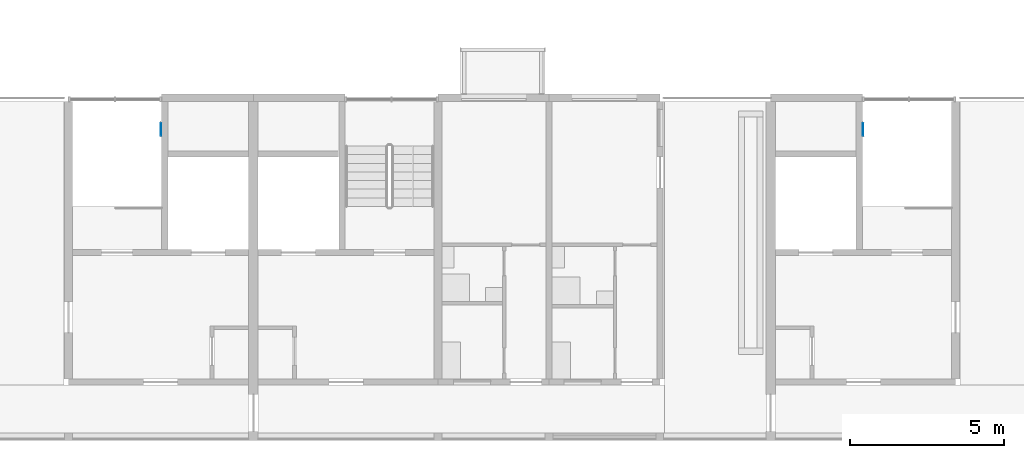
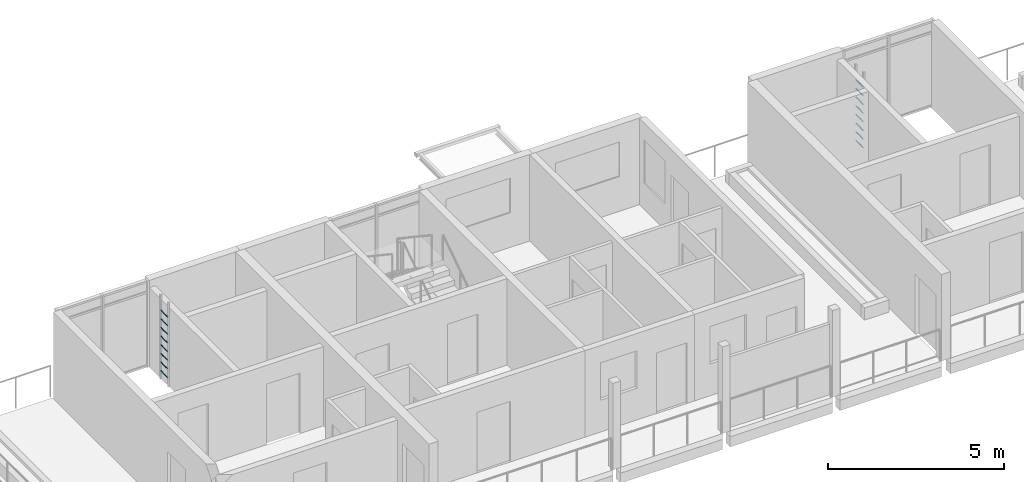
# One storey, part 25 of 94: 16 members.
"""IFC4 building model written with IfcOpenShell, lengths in metres."""

from ifc_helpers import new_model, si_unit, direction, frame, origin, origin_2d, place, context, subcontext, project, spatial, circle, extrude, material, material_profile, profile_set, type_object, element, save


model = new_model("IFC4")

# Units and contexts
model_context = context("Model", 3, precision=1e-05, world=origin(), true_north=direction((0.0, 1.0)))
body_context = subcontext(model_context, "Body", "Model", "MODEL_VIEW")
ifc_project = project(units=[si_unit("LENGTHUNIT", "METRE"), si_unit("AREAUNIT", "SQUARE_METRE"), si_unit("VOLUMEUNIT", "CUBIC_METRE"), si_unit("PLANEANGLEUNIT", "RADIAN"), si_unit("MASSUNIT", "GRAM", prefix="KILO")], contexts=[model_context])

# Site, building, storey
site_placement = place(None, origin())
site = spatial("IfcSite", under=ifc_project, at=site_placement, CompositionType="ELEMENT")
building_placement = place(site_placement, origin())
building = spatial("IfcBuilding", under=site, at=building_placement, Name="Ridgestep Commons", CompositionType="ELEMENT")
storey_placement = place(building_placement, frame((0.0, 0.0, 24.0)))
storey = spatial("IfcBuildingStorey", under=building, at=storey_placement, Name="L08", CompositionType="ELEMENT", Elevation=24.0)

# Members
ifc_material = material(Name="Structural steel S355JR", Category="steel")
ifc_material_profile = material_profile(ifc_material, circle(Radius=0.010009765625, at=origin_2d()), Name="Round bar 20")
ifc_profile_set = profile_set([ifc_material_profile], Name="Structural steel S355JR")
member_type = type_object("IfcMemberType", Name="Core ladder rung 20", PredefinedType="STRINGER", material=ifc_profile_set)
for number, where, z_axis, x_axis, name in (
    (1, (25.800048828125, 75.89990234375, 0.300048828125), (0.0, 1.0, 0.0), (-1.0, 0.0, 0.0), "Ladder rung B1C.1"),
    (2, (25.800048828125, 75.89990234375, 0.60009765625), (0.0, 1.0, 0.0), (-1.0, 0.0, 0.0), "Ladder rung B1C.2"),
    (3, (25.800048828125, 75.89990234375, 0.89990234375), (0.0, 1.0, 0.0), (-1.0, 0.0, 0.0), "Ladder rung B1C.3"),
    (4, (25.800048828125, 75.89990234375, 1.199951171875), (0.0, 1.0, 0.0), (-1.0, 0.0, 0.0), "Ladder rung B1C.4"),
    (5, (25.800048828125, 75.89990234375, 1.5), (0.0, 1.0, 0.0), (-1.0, 0.0, 0.0), "Ladder rung B1C.5"),
    (6, (25.800048828125, 75.89990234375, 1.800048828125), (0.0, 1.0, 0.0), (-1.0, 0.0, 0.0), "Ladder rung B1C.6"),
    (7, (25.800048828125, 75.89990234375, 2.10009765625), (0.0, 1.0, 0.0), (-1.0, 0.0, 0.0), "Ladder rung B1C.7"),
    (8, (25.800048828125, 75.89990234375, 2.39990234375), (0.0, 1.0, 0.0), (-1.0, 0.0, 0.0), "Ladder rung B1C.8"),
    (9, (48.60009765625, 75.89990234375, 0.300048828125), (0.0, 1.0, 0.0), (-1.0, 0.0, 0.0), "Ladder rung B3C.1"),
    (10, (48.60009765625, 75.89990234375, 0.60009765625), (0.0, 1.0, 0.0), (-1.0, 0.0, 0.0), "Ladder rung B3C.2"),
    (11, (48.60009765625, 75.89990234375, 0.89990234375), (0.0, 1.0, 0.0), (-1.0, 0.0, 0.0), "Ladder rung B3C.3"),
    (12, (48.60009765625, 75.89990234375, 1.199951171875), (0.0, 1.0, 0.0), (-1.0, 0.0, 0.0), "Ladder rung B3C.4"),
    (13, (48.60009765625, 75.89990234375, 1.5), (0.0, 1.0, 0.0), (-1.0, 0.0, 0.0), "Ladder rung B3C.5"),
    (14, (48.60009765625, 75.89990234375, 1.800048828125), (0.0, 1.0, 0.0), (-1.0, 0.0, 0.0), "Ladder rung B3C.6"),
    (15, (48.60009765625, 75.89990234375, 2.10009765625), (0.0, 1.0, 0.0), (-1.0, 0.0, 0.0), "Ladder rung B3C.7"),
    (16, (48.60009765625, 75.89990234375, 2.39990234375), (0.0, 1.0, 0.0), (-1.0, 0.0, 0.0), "Ladder rung B3C.8"),
):
    element("IfcMember", number, at=place(storey_placement, frame(where, z_axis=z_axis, x_axis=x_axis)), inside=storey, type_object=member_type, Name=name, PredefinedType="STRINGER", context=body_context, shape_type="SweptSolid", body=[
        extrude(circle(Radius=0.010009765625, at=origin_2d()), origin(), (0.0, 0.0, 1.0), 0.400146484375),
    ])

save(model, "model.ifc")
